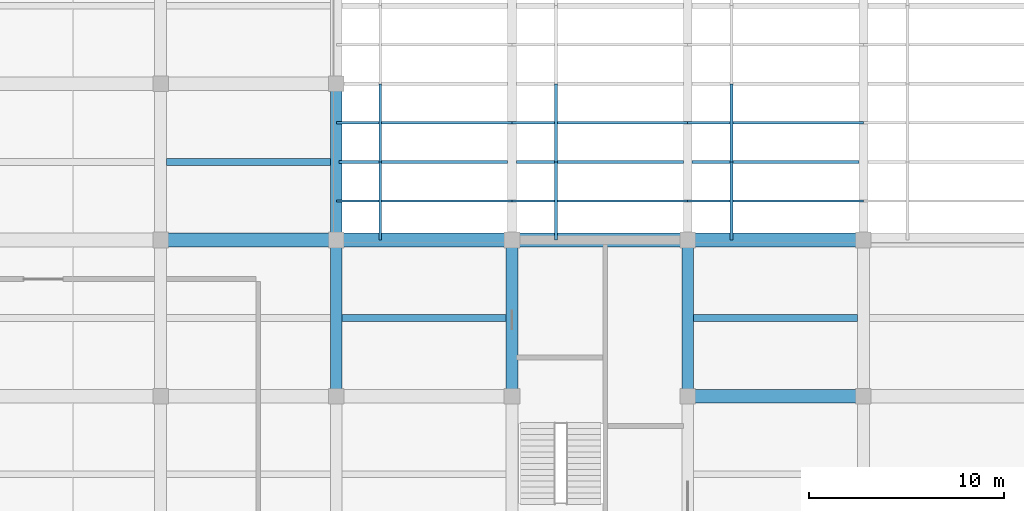
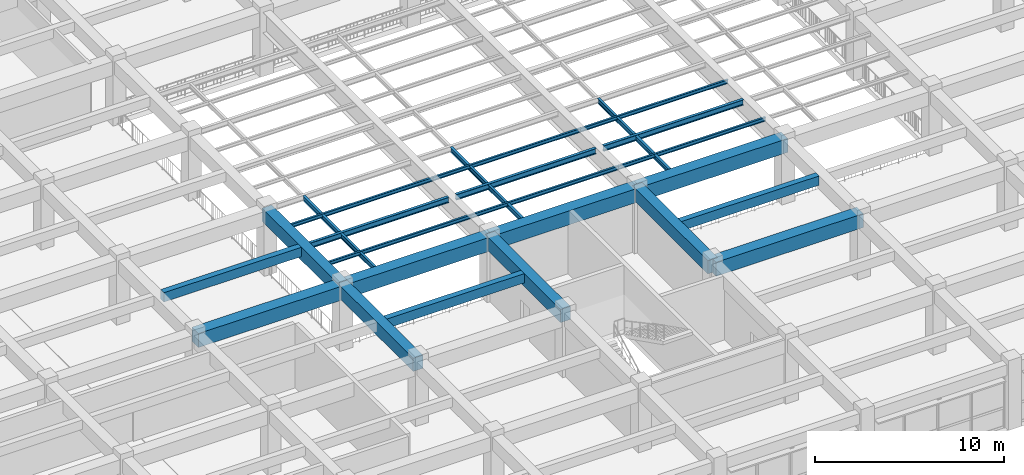
# One storey, part 10 of 50: 15 beams, 12 members.
"""IFC4 building model written with IfcOpenShell, lengths in metres."""

from ifc_helpers import new_model, si_unit, direction, frame, origin, origin_2d, place, context, subcontext, project, spatial, rectangle, i_section, extrude, material, material_profile, profile_set, type_object, element, save


model = new_model("IFC4")

# Units and contexts
model_context = context("Model", 3, precision=1e-05, world=origin(), true_north=direction((0.0, 1.0)))
body_context = subcontext(model_context, "Body", "Model", "MODEL_VIEW")
ifc_project = project(units=[si_unit("LENGTHUNIT", "METRE"), si_unit("AREAUNIT", "SQUARE_METRE"), si_unit("VOLUMEUNIT", "CUBIC_METRE"), si_unit("PLANEANGLEUNIT", "RADIAN"), si_unit("MASSUNIT", "GRAM", prefix="KILO")], contexts=[model_context])

# Site, building, storey
site_placement = place(None, origin())
site = spatial("IfcSite", under=ifc_project, at=site_placement, CompositionType="ELEMENT")
building_placement = place(site_placement, origin())
building = spatial("IfcBuilding", under=site, at=building_placement, Name="Zaverband Oceanarium and Marine Research Institute", CompositionType="ELEMENT")
storey_placement = place(building_placement, frame((0.0, 0.0, 9.0)))
storey = spatial("IfcBuildingStorey", under=building, at=storey_placement, Name="L02", CompositionType="ELEMENT", Elevation=9.0)

# Beams
ifc_material_1 = material(Name="Concrete C40/50", Category="concrete")
ifc_material_profile_1 = material_profile(ifc_material_1, rectangle(XDim=0.60009765625, YDim=0.85009765625, at=origin_2d()), Name="RC600x850")
ifc_profile_set_1 = profile_set([ifc_material_profile_1], Name="Concrete C40/50")
beam_type_1 = type_object("IfcBeamType", Name="BM-600x850", PredefinedType="BEAM", material=ifc_profile_set_1)
for number, where, z_axis, x_axis, name in (
    (1, (72.0, 16.0, 3.715087890625), (0.0, 1.0, 0.0), (-1.0, 0.0, 0.0), "Primary floor girder BM-600x850"),
    (2, (72.0, 24.0, 3.715087890625), (0.0, 1.0, 0.0), (-1.0, 0.0, 0.0), "Primary floor girder BM-600x850"),
    (3, (81.0, 16.0, 3.715087890625), (0.0, 1.0, 0.0), (-1.0, 0.0, 0.0), "Primary floor girder BM-600x850"),
    (4, (90.0, 16.0, 3.715087890625), (0.0, 1.0, 0.0), (-1.0, 0.0, 0.0), "Primary floor girder BM-600x850"),
):
    element("IfcBeam", number, at=place(storey_placement, frame(where, z_axis=z_axis, x_axis=x_axis)), inside=storey, type_object=beam_type_1, Name=name, PredefinedType="BEAM", context=body_context, shape_type="SweptSolid", body=[
        extrude(rectangle(XDim=0.60009765625, YDim=0.85009765625, at=origin_2d()), origin(), (0.0, 0.0, 1.0), 8.0),
    ])
ifc_material_profile_2 = material_profile(ifc_material_1, rectangle(XDim=0.699951171875, YDim=0.89990234375, at=origin_2d()), Name="RC700x900")
ifc_profile_set_2 = profile_set([ifc_material_profile_2], Name="Concrete C40/50")
beam_type_2 = type_object("IfcBeamType", Name="BM-700x900", PredefinedType="BEAM", material=ifc_profile_set_2)
for number, where, z_axis, x_axis, name in (
    (5, (90.0, 16.0, 3.68994140625), (1.0, 0.0, 0.0), (0.0, 1.0, 0.0), "Primary floor girder BM-700x900"),
    (6, (63.0, 24.0, 3.68994140625), (1.0, 0.0, 0.0), (0.0, 1.0, 0.0), "Primary floor girder BM-700x900"),
    (7, (72.0, 24.0, 3.68994140625), (1.0, 0.0, 0.0), (0.0, 1.0, 0.0), "Primary floor girder BM-700x900"),
    (8, (81.0, 24.0, 3.68994140625), (1.0, 0.0, 0.0), (0.0, 1.0, 0.0), "Primary floor girder BM-700x900"),
    (9, (90.0, 24.0, 3.68994140625), (1.0, 0.0, 0.0), (0.0, 1.0, 0.0), "Primary floor girder BM-700x900"),
):
    element("IfcBeam", number, at=place(storey_placement, frame(where, z_axis=z_axis, x_axis=x_axis)), inside=storey, type_object=beam_type_2, Name=name, PredefinedType="BEAM", context=body_context, shape_type="SweptSolid", body=[
        extrude(rectangle(XDim=0.699951171875, YDim=0.89990234375, at=origin_2d()), origin(), (0.0, 0.0, 1.0), 9.0),
    ])
ifc_material_profile_3 = material_profile(ifc_material_1, rectangle(XDim=0.35009765625, YDim=0.60009765625, at=origin_2d()), Name="RC350x600")
ifc_profile_set_3 = profile_set([ifc_material_profile_3], Name="Concrete C40/50")
beam_type_3 = type_object("IfcBeamType", Name="JST-350x600", PredefinedType="JOIST", material=ifc_profile_set_3)
for number, where, z_axis, x_axis, name in (
    (10, (63.300048828125, 28.0, 3.840087890625), (1.0, 0.0, 0.0), (0.0, 1.0, 0.0), "Secondary floor joist JST-350x600"),
    (11, (72.300048828125, 20.0, 3.840087890625), (1.0, 0.0, 0.0), (0.0, 1.0, 0.0), "Secondary floor joist JST-350x600"),
    (12, (90.300048828125, 20.0, 3.840087890625), (1.0, 0.0, 0.0), (0.0, 1.0, 0.0), "Secondary floor joist JST-350x600"),
):
    element("IfcBeam", number, at=place(storey_placement, frame(where, z_axis=z_axis, x_axis=x_axis)), inside=storey, type_object=beam_type_3, Name=name, PredefinedType="JOIST", context=body_context, shape_type="SweptSolid", body=[
        extrude(rectangle(XDim=0.35009765625, YDim=0.60009765625, at=origin_2d()), origin(), (0.0, 0.0, 1.0), 8.39990234375),
    ])

# Members
ifc_material_2 = material(Name="Steel S355", Category="steel")
ifc_material_profile_4 = material_profile(ifc_material_2, i_section(OverallWidth=0.1201171875, OverallDepth=0.239990234375, WebThickness=0.006103515625, FlangeThickness=0.009765625, FilletRadius=0.014892578125, at=origin_2d()), Name="IPE240")
ifc_profile_set_4 = profile_set([ifc_material_profile_4], Name="Steel S355")
member_type_1 = type_object("IfcMemberType", Name="PUR-IPE240", PredefinedType="PURLIN", material=ifc_profile_set_4)
for number, where, z_axis, x_axis, name in (
    (13, (72.0, 26.0, 4.0), (1.0, 0.0, 0.0), (0.0, 1.0, 0.0), "Screen / canopy purlin PUR-IPE240"),
    (14, (81.0, 26.0, 4.0), (1.0, 0.0, 0.0), (0.0, 1.0, 0.0), "Screen / canopy purlin PUR-IPE240"),
    (15, (90.0, 26.0, 4.0), (1.0, 0.0, 0.0), (0.0, 1.0, 0.0), "Screen / canopy purlin PUR-IPE240"),
    (16, (72.0, 30.0, 4.0), (1.0, 0.0, 0.0), (0.0, 1.0, 0.0), "Screen / canopy purlin PUR-IPE240"),
    (17, (81.0, 30.0, 4.0), (1.0, 0.0, 0.0), (0.0, 1.0, 0.0), "Screen / canopy purlin PUR-IPE240"),
    (18, (90.0, 30.0, 4.0), (1.0, 0.0, 0.0), (0.0, 1.0, 0.0), "Screen / canopy purlin PUR-IPE240"),
):
    element("IfcMember", number, at=place(storey_placement, frame(where, z_axis=z_axis, x_axis=x_axis)), inside=storey, type_object=member_type_1, Name=name, PredefinedType="PURLIN", context=body_context, shape_type="SweptSolid", body=[
        extrude(i_section(OverallWidth=0.1201171875, OverallDepth=0.239990234375, WebThickness=0.006103515625, FlangeThickness=0.009765625, FilletRadius=0.014892578125, at=origin_2d()), origin(), (0.0, 0.0, 1.0), 9.0),
    ])
ifc_material_profile_5 = material_profile(ifc_material_2, i_section(OverallWidth=0.14990234375, OverallDepth=0.300048828125, WebThickness=0.007080078125, FlangeThickness=0.0107421875, FilletRadius=0.014892578125, at=origin_2d()), Name="IPE300")
ifc_profile_set_5 = profile_set([ifc_material_profile_5], Name="Steel S355")
member_type_2 = type_object("IfcMemberType", Name="RAF-IPE300", PredefinedType="RAFTER", material=ifc_profile_set_5)
for number, where, z_axis, x_axis, name in (
    (19, (74.25, 24.0, 3.919921875), (0.0, 1.0, 0.0), (-1.0, 0.0, 0.0), "Canopy / skylight rafter RAF-IPE300"),
    (20, (83.25, 24.0, 3.919921875), (0.0, 1.0, 0.0), (-1.0, 0.0, 0.0), "Canopy / skylight rafter RAF-IPE300"),
    (21, (92.25, 24.0, 3.919921875), (0.0, 1.0, 0.0), (-1.0, 0.0, 0.0), "Canopy / skylight rafter RAF-IPE300"),
    (22, (74.25, 28.0, 3.919921875), (0.0, 1.0, 0.0), (-1.0, 0.0, 0.0), "Canopy / skylight rafter RAF-IPE300"),
    (23, (83.25, 28.0, 3.919921875), (0.0, 1.0, 0.0), (-1.0, 0.0, 0.0), "Canopy / skylight rafter RAF-IPE300"),
    (24, (92.25, 28.0, 3.919921875), (0.0, 1.0, 0.0), (-1.0, 0.0, 0.0), "Canopy / skylight rafter RAF-IPE300"),
):
    element("IfcMember", number, at=place(storey_placement, frame(where, z_axis=z_axis, x_axis=x_axis)), inside=storey, type_object=member_type_2, Name=name, PredefinedType="RAFTER", context=body_context, shape_type="SweptSolid", body=[
        extrude(i_section(OverallWidth=0.14990234375, OverallDepth=0.300048828125, WebThickness=0.007080078125, FlangeThickness=0.0107421875, FilletRadius=0.014892578125, at=origin_2d()), origin(), (0.0, 0.0, 1.0), 4.0),
    ])

# Beams
ifc_material_profile_6 = material_profile(ifc_material_2, i_section(OverallWidth=0.169921875, OverallDepth=0.360107421875, WebThickness=0.008056640625, FlangeThickness=0.0126953125, FilletRadius=0.01806640625, at=origin_2d()), Name="IPE360")
ifc_profile_set_6 = profile_set([ifc_material_profile_6], Name="Steel S355")
beam_type_4 = type_object("IfcBeamType", Name="SB-IPE360", PredefinedType="JOIST", material=ifc_profile_set_6)
beam_placement = place(storey_placement, frame((72.14990234375, 28.0, 3.9599609375), z_axis=(1.0, 0.0, 0.0), x_axis=(0.0, 1.0, 0.0)))
element("IfcBeam", 25, at=beam_placement, inside=storey, type_object=beam_type_4, Name="Atrium secondary steel joist SB-IPE360", PredefinedType="JOIST", context=body_context, shape_type="SweptSolid", body=[
    extrude(i_section(OverallWidth=0.169921875, OverallDepth=0.360107421875, WebThickness=0.008056640625, FlangeThickness=0.0126953125, FilletRadius=0.01806640625, at=origin_2d()), origin(), (0.0, 0.0, 1.0), 8.625),
])
for number, where, z_axis, x_axis, name in (
    (26, (81.22509765625, 28.0, 3.9599609375), (1.0, 0.0, 0.0), (0.0, 1.0, 0.0), "Atrium secondary steel joist SB-IPE360"),
    (27, (90.22509765625, 28.0, 3.9599609375), (1.0, 0.0, 0.0), (0.0, 1.0, 0.0), "Atrium secondary steel joist SB-IPE360"),
):
    element("IfcBeam", number, at=place(storey_placement, frame(where, z_axis=z_axis, x_axis=x_axis)), inside=storey, type_object=beam_type_4, Name=name, PredefinedType="JOIST", context=body_context, shape_type="SweptSolid", body=[
        extrude(i_section(OverallWidth=0.169921875, OverallDepth=0.360107421875, WebThickness=0.008056640625, FlangeThickness=0.0126953125, FilletRadius=0.01806640625, at=origin_2d()), origin(), (0.0, 0.0, 1.0), 8.5498046875),
    ])

save(model, "model.ifc")
